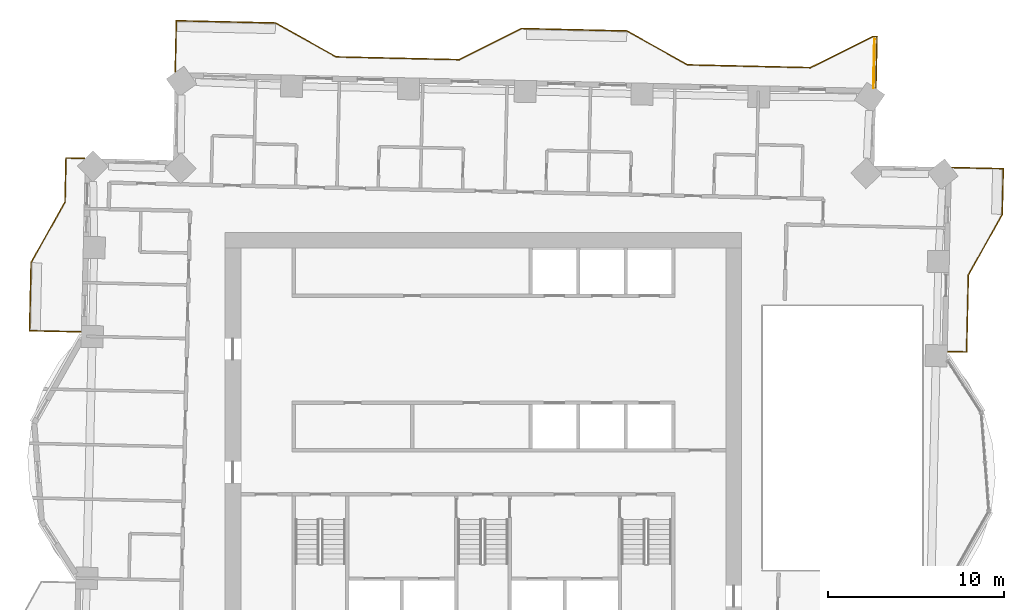
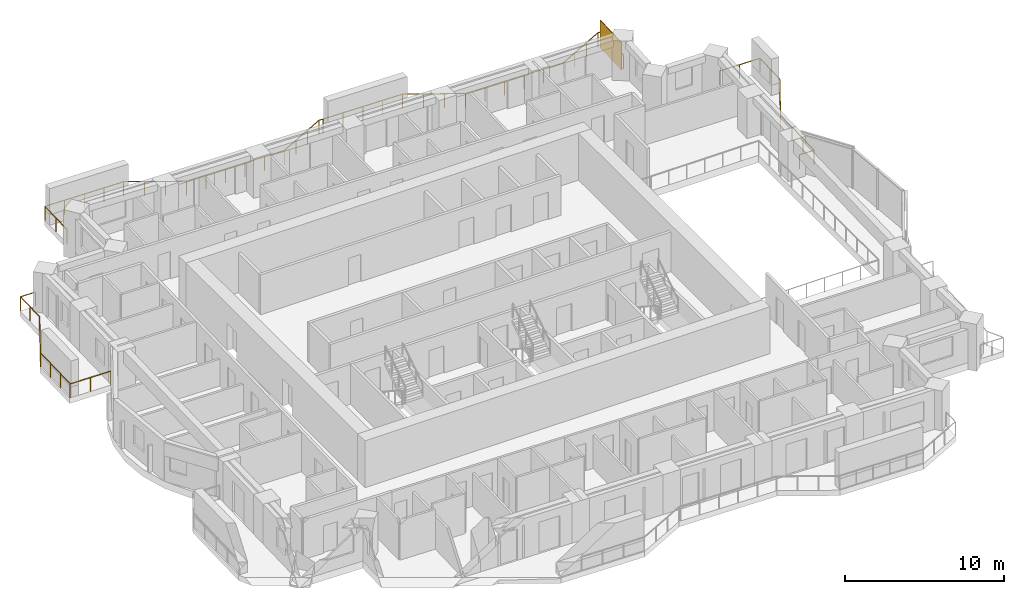
# One storey, part 14 of 14: 3 railings, 1 shading device.
"""IFC4 building model written with IfcOpenShell, lengths in metres."""

from ifc_helpers import new_model, si_unit, direction, frame, origin, origin_2d, place, context, subcontext, project, spatial, rectangle, extrude, material, type_object, element, save


model = new_model("IFC4")

# Units and contexts
model_context = context("Model", 3, precision=1e-05, world=origin(), true_north=direction((0.0, 1.0)))
body_context = subcontext(model_context, "Body", "Model", "MODEL_VIEW")
ifc_project = project(units=[si_unit("LENGTHUNIT", "METRE"), si_unit("AREAUNIT", "SQUARE_METRE"), si_unit("VOLUMEUNIT", "CUBIC_METRE"), si_unit("PLANEANGLEUNIT", "RADIAN"), si_unit("MASSUNIT", "GRAM", prefix="KILO")], contexts=[model_context])

# Site, building, storey
site_placement = place(None, origin())
site = spatial("IfcSite", under=ifc_project, at=site_placement, CompositionType="ELEMENT")
building_placement = place(site_placement, origin())
building = spatial("IfcBuilding", under=site, at=building_placement, Name="Mangrove Gate Tower", CompositionType="ELEMENT")
storey_placement = place(building_placement, frame((0.0, 0.0, 152.699951171875)))
storey = spatial("IfcBuildingStorey", under=building, at=storey_placement, Name="L38", CompositionType="ELEMENT", Elevation=152.699951171875)

# Railings
ifc_material_1 = material(Name="Stainless steel grade 316 with laminated glass infill", Category="steel")
railing_type = type_object("IfcRailingType", Name="Balcony guard 1100", PredefinedType="GUARDRAIL", material=ifc_material_1)
railing_1_placement = place(storey_placement, frame((26.43505859375, 4.9130859375, 0.0)))
element("IfcRailing", 1, at=railing_1_placement, inside=storey, type_object=railing_type, Name="GUARD L38 E2", PredefinedType="GUARDRAIL", context=body_context, shape_type="SweptSolid", body=[
    extrude(rectangle(XDim=0.048095703125, YDim=0.048095703125, at=origin_2d()), frame((0.0, 0.0, 1.076171875), z_axis=(0.999760733616, -0.021874083301, 0.0), x_axis=(0.021874083301, 0.999760733616, 0.0)), (0.0, 0.0, 1.0), 1.060302734375),
    extrude(rectangle(XDim=0.048095703125, YDim=0.048095703125, at=origin_2d()), frame((1.06005859375, -0.023193359375, 1.076171875), z_axis=(0.022604762968, 0.9997444797, 0.0), x_axis=(-0.9997444797, 0.022604762968, 0.0)), (0.0, 0.0, 1.0), 4.374267578125),
    extrude(rectangle(XDim=0.048095703125, YDim=0.048095703125, at=origin_2d()), frame((1.158935546875, 4.349853515625, 1.076171875), z_axis=(0.48726008209, 0.87325689943, 0.0), x_axis=(-0.87325689943, 0.48726008209, 0.0)), (0.0, 0.0, 1.0), 3.958740234375),
    extrude(rectangle(XDim=0.048095703125, YDim=0.048095703125, at=origin_2d()), frame((3.087890625, 7.806884765625, 1.076171875), z_axis=(0.022717140625, 0.999741932461, 0.0), x_axis=(-0.999741932461, 0.022717140625, 0.0)), (0.0, 0.0, 1.0), 2.600830078125),
    extrude(rectangle(XDim=0.048095703125, YDim=0.048095703125, at=origin_2d()), frame((3.14697265625, 10.406982421875, 1.076171875), z_axis=(-0.999750894749, 0.022319239446, 0.0), x_axis=(-0.022319239446, -0.999750894749, 0.0)), (0.0, 0.0, 1.0), 2.90966796875),
    extrude(rectangle(XDim=0.0419921875, YDim=0.0419921875, at=origin_2d()), origin(), (0.0, 0.0, 1.0), 1.052001953125),
    extrude(rectangle(XDim=0.0419921875, YDim=0.0419921875, at=origin_2d()), frame((1.06005859375, -0.023193359375, 0.0)), (0.0, 0.0, 1.0), 1.052001953125),
    extrude(rectangle(XDim=0.0419921875, YDim=0.0419921875, at=origin_2d()), frame((1.093017578125, 1.4345703125, 0.0)), (0.0, 0.0, 1.0), 1.052001953125),
    extrude(rectangle(XDim=0.0419921875, YDim=0.0419921875, at=origin_2d()), frame((1.1259765625, 2.89208984375, 0.0)), (0.0, 0.0, 1.0), 1.052001953125),
    extrude(rectangle(XDim=0.0419921875, YDim=0.0419921875, at=origin_2d()), frame((1.158935546875, 4.349853515625, 0.0)), (0.0, 0.0, 1.0), 1.052001953125),
    extrude(rectangle(XDim=0.0419921875, YDim=0.0419921875, at=origin_2d()), frame((1.802001953125, 5.502197265625, 0.0)), (0.0, 0.0, 1.0), 1.052001953125),
    extrude(rectangle(XDim=0.0419921875, YDim=0.0419921875, at=origin_2d()), frame((2.44482421875, 6.654541015625, 0.0)), (0.0, 0.0, 1.0), 1.052001953125),
    extrude(rectangle(XDim=0.0419921875, YDim=0.0419921875, at=origin_2d()), frame((3.087890625, 7.806884765625, 0.0)), (0.0, 0.0, 1.0), 1.052001953125),
    extrude(rectangle(XDim=0.0419921875, YDim=0.0419921875, at=origin_2d()), frame((3.117431640625, 9.10693359375, 0.0)), (0.0, 0.0, 1.0), 1.052001953125),
    extrude(rectangle(XDim=0.0419921875, YDim=0.0419921875, at=origin_2d()), frame((3.14697265625, 10.406982421875, 0.0)), (0.0, 0.0, 1.0), 1.052001953125),
    extrude(rectangle(XDim=0.0419921875, YDim=0.0419921875, at=origin_2d()), frame((1.6923828125, 10.439453125, 0.0)), (0.0, 0.0, 1.0), 1.052001953125),
    extrude(rectangle(XDim=0.0419921875, YDim=0.0419921875, at=origin_2d()), frame((0.238037109375, 10.471923828125, 0.0)), (0.0, 0.0, 1.0), 1.052001953125),
])
railing_2_placement = place(storey_placement, frame((22.3349609375, 19.925048828125, 0.0)))
element("IfcRailing", 2, at=railing_2_placement, inside=storey, type_object=railing_type, Name="GUARD L38 N1", PredefinedType="GUARDRAIL", context=body_context, shape_type="SweptSolid", body=[
    extrude(rectangle(XDim=0.048095703125, YDim=0.048095703125, at=origin_2d()), frame((0.0, 0.0, 1.076171875), z_axis=(0.022654696127, 0.999743349437, 0.0), x_axis=(-0.999743349437, 0.022654696127, 0.0)), (0.0, 0.0, 1.0), 2.90966796875),
    extrude(rectangle(XDim=0.048095703125, YDim=0.048095703125, at=origin_2d()), frame((0.06591796875, 2.908935546875, 1.076171875), z_axis=(-0.999676754587, 0.025424129059, 0.0), x_axis=(-0.025424129059, -0.999676754587, 0.0)), (0.0, 0.0, 1.0), 0.239990234375),
    extrude(rectangle(XDim=0.048095703125, YDim=0.048095703125, at=origin_2d()), frame((-0.174072265625, 2.9150390625, 1.076171875), z_axis=(-0.894464192593, -0.447139584658, 0.0), x_axis=(0.447139584658, -0.894464192593, 0.0)), (0.0, 0.0, 1.0), 3.95849609375),
    extrude(rectangle(XDim=0.048095703125, YDim=0.048095703125, at=origin_2d()), frame((-3.71484375, 1.14501953125, 1.076171875), z_axis=(-0.999742195543, 0.022705559911, 0.0), x_axis=(-0.022705559911, -0.999742195543, 0.0)), (0.0, 0.0, 1.0), 6.999755859375),
    extrude(rectangle(XDim=0.048095703125, YDim=0.048095703125, at=origin_2d()), frame((-10.712890625, 1.303955078125, 1.076171875), z_axis=(-0.873420366986, 0.486967003537, 0.0), x_axis=(-0.486967003537, -0.873420366986, 0.0)), (0.0, 0.0, 1.0), 3.959228515625),
    extrude(rectangle(XDim=0.048095703125, YDim=0.048095703125, at=origin_2d()), frame((-14.1708984375, 3.23193359375, 1.076171875), z_axis=(-0.999739330573, 0.02283135795, 0.0), x_axis=(-0.02283135795, -0.999739330573, 0.0)), (0.0, 0.0, 1.0), 5.699462890625),
    extrude(rectangle(XDim=0.048095703125, YDim=0.048095703125, at=origin_2d()), frame((-19.868896484375, 3.362060546875, 1.076171875), z_axis=(-0.999740574134, 0.022776839769, 0.0), x_axis=(-0.022776839769, -0.999740574134, 0.0)), (0.0, 0.0, 1.0), 0.300048828125),
    extrude(rectangle(XDim=0.048095703125, YDim=0.048095703125, at=origin_2d()), frame((-20.1689453125, 3.368896484375, 1.076171875), z_axis=(-0.894377854182, -0.447312255532, 0.0), x_axis=(0.447312255532, -0.894377854182, 0.0)), (0.0, 0.0, 1.0), 3.959228515625),
    extrude(rectangle(XDim=0.048095703125, YDim=0.048095703125, at=origin_2d()), frame((-23.7099609375, 1.597900390625, 1.076171875), z_axis=(-0.999742195543, 0.022705559911, 0.0), x_axis=(-0.022705559911, -0.999742195543, 0.0)), (0.0, 0.0, 1.0), 6.999755859375),
    extrude(rectangle(XDim=0.048095703125, YDim=0.048095703125, at=origin_2d()), frame((-30.7080078125, 1.7568359375, 1.076171875), z_axis=(-0.873230657876, 0.487307108654, 0.0), x_axis=(-0.487307108654, -0.873230657876, 0.0)), (0.0, 0.0, 1.0), 3.958984375),
    extrude(rectangle(XDim=0.048095703125, YDim=0.048095703125, at=origin_2d()), frame((-34.1650390625, 3.68603515625, 1.076171875), z_axis=(-0.999742750925, 0.022681092847, 0.0), x_axis=(-0.022681092847, -0.999742750925, 0.0)), (0.0, 0.0, 1.0), 5.640380859375),
    extrude(rectangle(XDim=0.048095703125, YDim=0.048095703125, at=origin_2d()), frame((-39.803955078125, 3.81396484375, 1.076171875), z_axis=(-0.022654696127, -0.999743349437, 0.0), x_axis=(0.999743349437, -0.022654696127, 0.0)), (0.0, 0.0, 1.0), 2.90966796875),
    extrude(rectangle(XDim=0.0419921875, YDim=0.0419921875, at=origin_2d()), origin(), (0.0, 0.0, 1.0), 1.052001953125),
    extrude(rectangle(XDim=0.0419921875, YDim=0.0419921875, at=origin_2d()), frame((0.032958984375, 1.45458984375, 0.0)), (0.0, 0.0, 1.0), 1.052001953125),
    extrude(rectangle(XDim=0.0419921875, YDim=0.0419921875, at=origin_2d()), frame((0.06591796875, 2.908935546875, 0.0)), (0.0, 0.0, 1.0), 1.052001953125),
    extrude(rectangle(XDim=0.0419921875, YDim=0.0419921875, at=origin_2d()), frame((-0.174072265625, 2.9150390625, 0.0)), (0.0, 0.0, 1.0), 1.052001953125),
    extrude(rectangle(XDim=0.0419921875, YDim=0.0419921875, at=origin_2d()), frame((-1.354248046875, 2.324951171875, 0.0)), (0.0, 0.0, 1.0), 1.052001953125),
    extrude(rectangle(XDim=0.0419921875, YDim=0.0419921875, at=origin_2d()), frame((-2.53466796875, 1.735107421875, 0.0)), (0.0, 0.0, 1.0), 1.052001953125),
    extrude(rectangle(XDim=0.0419921875, YDim=0.0419921875, at=origin_2d()), frame((-3.71484375, 1.14501953125, 0.0)), (0.0, 0.0, 1.0), 1.052001953125),
    extrude(rectangle(XDim=0.0419921875, YDim=0.0419921875, at=origin_2d()), frame((-5.114501953125, 1.1767578125, 0.0)), (0.0, 0.0, 1.0), 1.052001953125),
    extrude(rectangle(XDim=0.0419921875, YDim=0.0419921875, at=origin_2d()), frame((-6.51416015625, 1.20849609375, 0.0)), (0.0, 0.0, 1.0), 1.052001953125),
    extrude(rectangle(XDim=0.0419921875, YDim=0.0419921875, at=origin_2d()), frame((-7.91357421875, 1.240478515625, 0.0)), (0.0, 0.0, 1.0), 1.052001953125),
    extrude(rectangle(XDim=0.0419921875, YDim=0.0419921875, at=origin_2d()), frame((-9.313232421875, 1.272216796875, 0.0)), (0.0, 0.0, 1.0), 1.052001953125),
    extrude(rectangle(XDim=0.0419921875, YDim=0.0419921875, at=origin_2d()), frame((-10.712890625, 1.303955078125, 0.0)), (0.0, 0.0, 1.0), 1.052001953125),
    extrude(rectangle(XDim=0.0419921875, YDim=0.0419921875, at=origin_2d()), frame((-11.865478515625, 1.946533203125, 0.0)), (0.0, 0.0, 1.0), 1.052001953125),
    extrude(rectangle(XDim=0.0419921875, YDim=0.0419921875, at=origin_2d()), frame((-13.018310546875, 2.58935546875, 0.0)), (0.0, 0.0, 1.0), 1.052001953125),
    extrude(rectangle(XDim=0.0419921875, YDim=0.0419921875, at=origin_2d()), frame((-14.1708984375, 3.23193359375, 0.0)), (0.0, 0.0, 1.0), 1.052001953125),
    extrude(rectangle(XDim=0.0419921875, YDim=0.0419921875, at=origin_2d()), frame((-15.595458984375, 3.264404296875, 0.0)), (0.0, 0.0, 1.0), 1.052001953125),
    extrude(rectangle(XDim=0.0419921875, YDim=0.0419921875, at=origin_2d()), frame((-17.02001953125, 3.296875, 0.0)), (0.0, 0.0, 1.0), 1.052001953125),
    extrude(rectangle(XDim=0.0419921875, YDim=0.0419921875, at=origin_2d()), frame((-18.4443359375, 3.32958984375, 0.0)), (0.0, 0.0, 1.0), 1.052001953125),
    extrude(rectangle(XDim=0.0419921875, YDim=0.0419921875, at=origin_2d()), frame((-19.868896484375, 3.362060546875, 0.0)), (0.0, 0.0, 1.0), 1.052001953125),
    extrude(rectangle(XDim=0.0419921875, YDim=0.0419921875, at=origin_2d()), frame((-20.1689453125, 3.368896484375, 0.0)), (0.0, 0.0, 1.0), 1.052001953125),
    extrude(rectangle(XDim=0.0419921875, YDim=0.0419921875, at=origin_2d()), frame((-21.349365234375, 2.778564453125, 0.0)), (0.0, 0.0, 1.0), 1.052001953125),
    extrude(rectangle(XDim=0.0419921875, YDim=0.0419921875, at=origin_2d()), frame((-22.529541015625, 2.188232421875, 0.0)), (0.0, 0.0, 1.0), 1.052001953125),
    extrude(rectangle(XDim=0.0419921875, YDim=0.0419921875, at=origin_2d()), frame((-23.7099609375, 1.597900390625, 0.0)), (0.0, 0.0, 1.0), 1.052001953125),
    extrude(rectangle(XDim=0.0419921875, YDim=0.0419921875, at=origin_2d()), frame((-25.109619140625, 1.629638671875, 0.0)), (0.0, 0.0, 1.0), 1.052001953125),
    extrude(rectangle(XDim=0.0419921875, YDim=0.0419921875, at=origin_2d()), frame((-26.50927734375, 1.661376953125, 0.0)), (0.0, 0.0, 1.0), 1.052001953125),
    extrude(rectangle(XDim=0.0419921875, YDim=0.0419921875, at=origin_2d()), frame((-27.90869140625, 1.693359375, 0.0)), (0.0, 0.0, 1.0), 1.052001953125),
    extrude(rectangle(XDim=0.0419921875, YDim=0.0419921875, at=origin_2d()), frame((-29.308349609375, 1.72509765625, 0.0)), (0.0, 0.0, 1.0), 1.052001953125),
    extrude(rectangle(XDim=0.0419921875, YDim=0.0419921875, at=origin_2d()), frame((-30.7080078125, 1.7568359375, 0.0)), (0.0, 0.0, 1.0), 1.052001953125),
    extrude(rectangle(XDim=0.0419921875, YDim=0.0419921875, at=origin_2d()), frame((-31.8603515625, 2.39990234375, 0.0)), (0.0, 0.0, 1.0), 1.052001953125),
    extrude(rectangle(XDim=0.0419921875, YDim=0.0419921875, at=origin_2d()), frame((-33.0126953125, 3.04296875, 0.0)), (0.0, 0.0, 1.0), 1.052001953125),
    extrude(rectangle(XDim=0.0419921875, YDim=0.0419921875, at=origin_2d()), frame((-34.1650390625, 3.68603515625, 0.0)), (0.0, 0.0, 1.0), 1.052001953125),
    extrude(rectangle(XDim=0.0419921875, YDim=0.0419921875, at=origin_2d()), frame((-35.57470703125, 3.718017578125, 0.0)), (0.0, 0.0, 1.0), 1.052001953125),
    extrude(rectangle(XDim=0.0419921875, YDim=0.0419921875, at=origin_2d()), frame((-36.984375, 3.75, 0.0)), (0.0, 0.0, 1.0), 1.052001953125),
    extrude(rectangle(XDim=0.0419921875, YDim=0.0419921875, at=origin_2d()), frame((-38.394287109375, 3.781982421875, 0.0)), (0.0, 0.0, 1.0), 1.052001953125),
    extrude(rectangle(XDim=0.0419921875, YDim=0.0419921875, at=origin_2d()), frame((-39.803955078125, 3.81396484375, 0.0)), (0.0, 0.0, 1.0), 1.052001953125),
    extrude(rectangle(XDim=0.0419921875, YDim=0.0419921875, at=origin_2d()), frame((-39.8369140625, 2.359375, 0.0)), (0.0, 0.0, 1.0), 1.052001953125),
    extrude(rectangle(XDim=0.0419921875, YDim=0.0419921875, at=origin_2d()), frame((-39.869873046875, 0.905029296875, 0.0)), (0.0, 0.0, 1.0), 1.052001953125),
])
railing_3_placement = place(storey_placement, frame((-22.68798828125, 15.906005859375, 0.0)))
element("IfcRailing", 3, at=railing_3_placement, inside=storey, type_object=railing_type, Name="GUARD L38 W1", PredefinedType="GUARDRAIL", context=body_context, shape_type="SweptSolid", body=[
    extrude(rectangle(XDim=0.048095703125, YDim=0.048095703125, at=origin_2d()), frame((0.0, 0.0, 1.076171875), z_axis=(-0.999745389313, 0.022564497502, 0.0), x_axis=(-0.022564497502, -0.999745389313, 0.0)), (0.0, 0.0, 1.0), 1.060302734375),
    extrude(rectangle(XDim=0.048095703125, YDim=0.048095703125, at=origin_2d()), frame((-1.06005859375, 0.02392578125, 1.076171875), z_axis=(-0.022357691225, -0.99975003558, 0.0), x_axis=(0.99975003558, -0.022357691225, 0.0)), (0.0, 0.0, 1.0), 2.500732421875),
    extrude(rectangle(XDim=0.048095703125, YDim=0.048095703125, at=origin_2d()), frame((-1.115966796875, -2.47607421875, 1.076171875), z_axis=(-0.48726008209, -0.87325689943, 0.0), x_axis=(0.87325689943, -0.48726008209, 0.0)), (0.0, 0.0, 1.0), 3.958740234375),
    extrude(rectangle(XDim=0.048095703125, YDim=0.048095703125, at=origin_2d()), frame((-3.044921875, -5.93310546875, 1.076171875), z_axis=(-0.022745736617, -0.999741282265, 0.0), x_axis=(0.999741282265, -0.022745736617, 0.0)), (0.0, 0.0, 1.0), 3.874755859375),
    extrude(rectangle(XDim=0.048095703125, YDim=0.048095703125, at=origin_2d()), frame((-3.133056640625, -9.806884765625, 1.076171875), z_axis=(0.999749018963, -0.022403104328, 0.0), x_axis=(0.022403104328, 0.999749018963, 0.0)), (0.0, 0.0, 1.0), 2.90966796875),
    extrude(rectangle(XDim=0.0419921875, YDim=0.0419921875, at=origin_2d()), origin(), (0.0, 0.0, 1.0), 1.052001953125),
    extrude(rectangle(XDim=0.0419921875, YDim=0.0419921875, at=origin_2d()), frame((-1.06005859375, 0.02392578125, 0.0)), (0.0, 0.0, 1.0), 1.052001953125),
    extrude(rectangle(XDim=0.0419921875, YDim=0.0419921875, at=origin_2d()), frame((-1.087890625, -1.22607421875, 0.0)), (0.0, 0.0, 1.0), 1.052001953125),
    extrude(rectangle(XDim=0.0419921875, YDim=0.0419921875, at=origin_2d()), frame((-1.115966796875, -2.47607421875, 0.0)), (0.0, 0.0, 1.0), 1.052001953125),
    extrude(rectangle(XDim=0.0419921875, YDim=0.0419921875, at=origin_2d()), frame((-1.759033203125, -3.62841796875, 0.0)), (0.0, 0.0, 1.0), 1.052001953125),
    extrude(rectangle(XDim=0.0419921875, YDim=0.0419921875, at=origin_2d()), frame((-2.40185546875, -4.78076171875, 0.0)), (0.0, 0.0, 1.0), 1.052001953125),
    extrude(rectangle(XDim=0.0419921875, YDim=0.0419921875, at=origin_2d()), frame((-3.044921875, -5.93310546875, 0.0)), (0.0, 0.0, 1.0), 1.052001953125),
    extrude(rectangle(XDim=0.0419921875, YDim=0.0419921875, at=origin_2d()), frame((-3.07421875, -7.224365234375, 0.0)), (0.0, 0.0, 1.0), 1.052001953125),
    extrude(rectangle(XDim=0.0419921875, YDim=0.0419921875, at=origin_2d()), frame((-3.103759765625, -8.515625, 0.0)), (0.0, 0.0, 1.0), 1.052001953125),
    extrude(rectangle(XDim=0.0419921875, YDim=0.0419921875, at=origin_2d()), frame((-3.133056640625, -9.806884765625, 0.0)), (0.0, 0.0, 1.0), 1.052001953125),
    extrude(rectangle(XDim=0.0419921875, YDim=0.0419921875, at=origin_2d()), frame((-1.6787109375, -9.83935546875, 0.0)), (0.0, 0.0, 1.0), 1.052001953125),
    extrude(rectangle(XDim=0.0419921875, YDim=0.0419921875, at=origin_2d()), frame((-0.22412109375, -9.8720703125, 0.0)), (0.0, 0.0, 1.0), 1.052001953125),
])

# Shading device
ifc_material_2 = material(Name="Timber slat screen in teak", Category="wood")
shading_device_type = type_object("IfcShadingDeviceType", Name="Balcony screen 2100", PredefinedType="USERDEFINED", material=ifc_material_2)
shading_device_placement = place(storey_placement, frame((22.22607421875, 21.302978515625, 0.0), z_axis=(0.0, 0.0, 1.0), x_axis=(0.022739679942, 0.999741420046, 0.0)))
element("IfcShadingDevice", 4, at=shading_device_placement, inside=storey, type_object=shading_device_type, Name="SCREEN L38 N0", ObjectType="SCREEN", PredefinedType="USERDEFINED", context=body_context, shape_type="SweptSolid", body=[
    extrude(rectangle(XDim=2.7900390625, YDim=0.050048828125, at=origin_2d()), origin(), (0.0, 0.0, 1.0), 2.10009765625),
])

save(model, "model.ifc")
